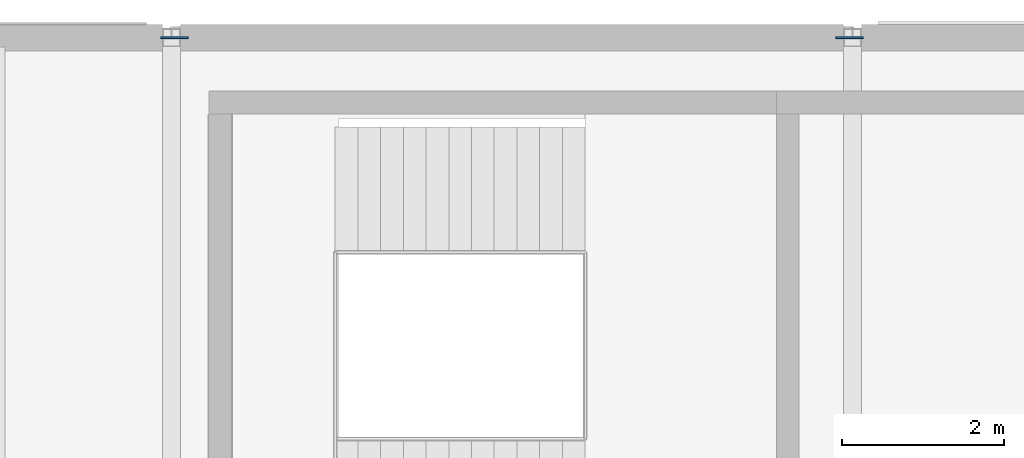
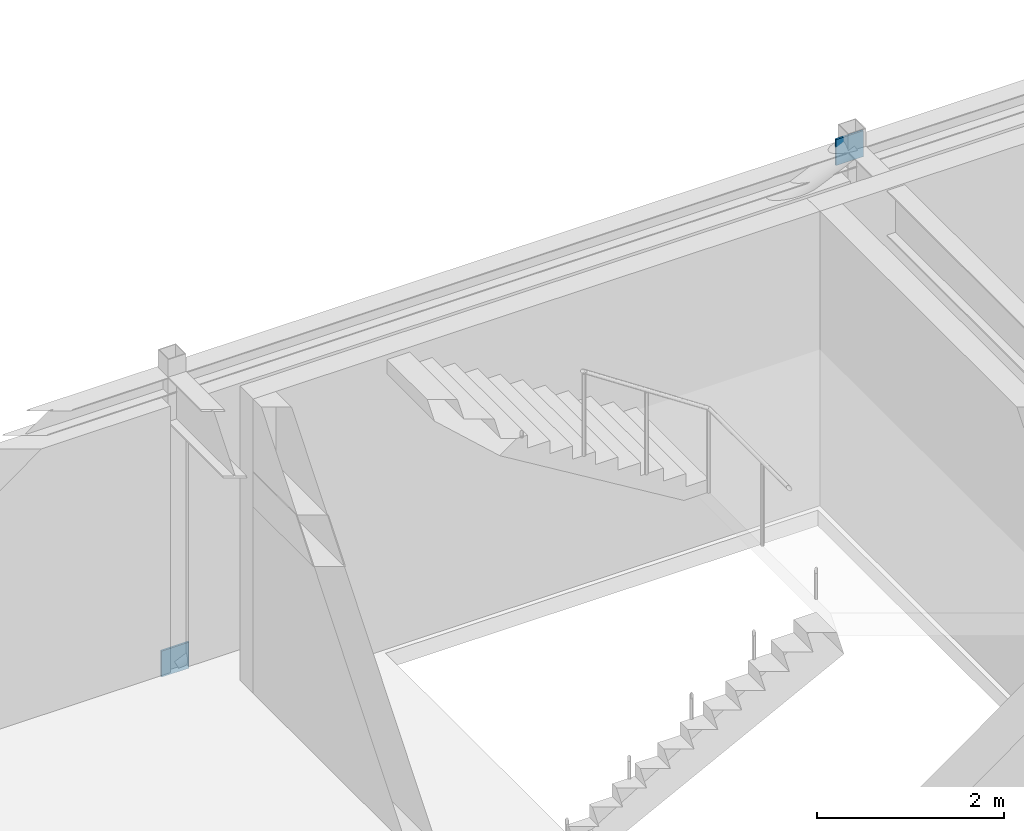
# One storey, part 100 of 114: 2 discrete accessories.
"""IFC4 building model written with IfcOpenShell, lengths in metres."""

from ifc_helpers import new_model, si_unit, direction, frame, origin, origin_2d, place, context, subcontext, project, spatial, rectangle, extrude, material, type_object, element, save


model = new_model("IFC4")

# Units and contexts
model_context = context("Model", 3, precision=1e-05, world=origin(), true_north=direction((0.0, 1.0)))
body_context = subcontext(model_context, "Body", "Model", "MODEL_VIEW")
ifc_project = project(units=[si_unit("LENGTHUNIT", "METRE"), si_unit("AREAUNIT", "SQUARE_METRE"), si_unit("VOLUMEUNIT", "CUBIC_METRE"), si_unit("PLANEANGLEUNIT", "RADIAN"), si_unit("MASSUNIT", "GRAM", prefix="KILO")], contexts=[model_context])

# Site, building, storey
site_placement = place(None, origin())
site = spatial("IfcSite", under=ifc_project, at=site_placement, CompositionType="ELEMENT")
building_placement = place(site_placement, origin())
building = spatial("IfcBuilding", under=site, at=building_placement, Name="Montecoro Central Library", CompositionType="ELEMENT")
storey_placement = place(building_placement, frame((0.0, 0.0, 13.260009765625)))
storey = spatial("IfcBuildingStorey", under=building, at=storey_placement, Name="L03", CompositionType="ELEMENT", Elevation=13.260009765625)

# Discrete accessories
ifc_material = material(Name="Steel S355", Category="steel")
discrete_accessory_type = type_object("IfcDiscreteAccessoryType", Name="GUSSET-PLT-01", PredefinedType="BRACKET", material=ifc_material)
for number, where, z_axis, x_axis, name in (
    (1, (74.8359375, 119.0, -0.14404296875), (0.0, 0.0, 1.0), (1.0, 0.0, 0.0), "V2-L03-BRN1-GPA"),
    (2, (83.1640625, 119.0, 3.619140625), (0.0, 0.0, 1.0), (1.0, 0.0, 0.0), "V2-L03-BRN1-GPB"),
):
    element("IfcDiscreteAccessory", number, at=place(storey_placement, frame(where, z_axis=z_axis, x_axis=x_axis)), inside=storey, type_object=discrete_accessory_type, Name=name, PredefinedType="BRACKET", context=body_context, shape_type="SweptSolid", body=[
        extrude(rectangle(XDim=0.340087890625, YDim=0.02392578125, at=origin_2d()), origin(), (0.0, 0.0, 1.0), 0.340087890625),
    ])

save(model, "model.ifc")
